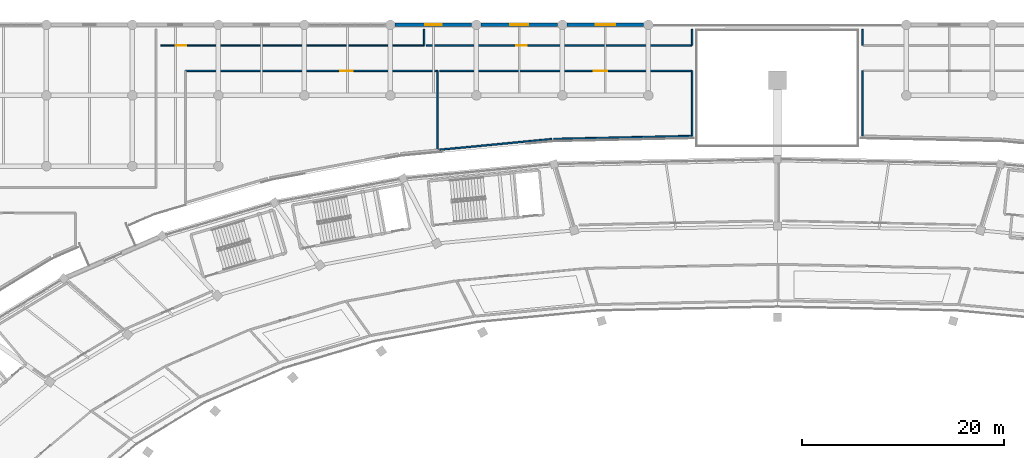
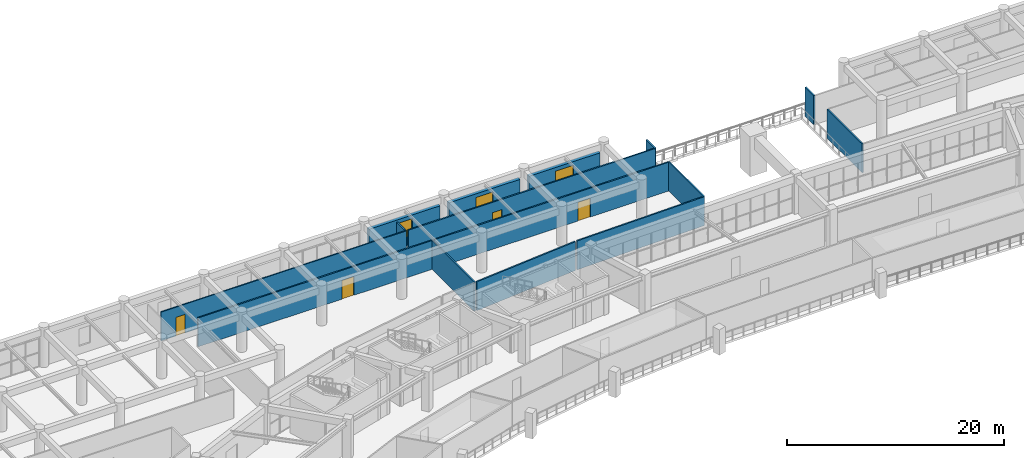
# One storey, part 106 of 141: 15 walls, 4 doors, 3 windows, 7 openings.
"""IFC4 building model written with IfcOpenShell, lengths in metres."""

from ifc_helpers import new_model, si_unit, direction, frame, frame_2d, origin, place, context, subcontext, project, spatial, rectangle, extrude, material, layer, layer_set, type_object, element, fill, save


model = new_model("IFC4")

# Units and contexts
model_context = context("Model", 3, precision=1e-05, world=origin(), true_north=direction((0.0, 1.0)))
body_context = subcontext(model_context, "Body", "Model", "MODEL_VIEW")
ifc_project = project(units=[si_unit("LENGTHUNIT", "METRE"), si_unit("AREAUNIT", "SQUARE_METRE"), si_unit("VOLUMEUNIT", "CUBIC_METRE"), si_unit("PLANEANGLEUNIT", "RADIAN"), si_unit("MASSUNIT", "GRAM", prefix="KILO")], contexts=[model_context])

# Site, building, storey
site_placement = place(None, origin())
site = spatial("IfcSite", under=ifc_project, at=site_placement, CompositionType="ELEMENT")
building_placement = place(site_placement, origin())
building = spatial("IfcBuilding", under=site, at=building_placement, Name="Mphavela Belvedere Stadium", CompositionType="ELEMENT")
storey_placement = place(building_placement, frame((0.0, 0.0, 14.699951171875)))
storey = spatial("IfcBuildingStorey", under=building, at=storey_placement, Name="L03", CompositionType="ELEMENT", Elevation=14.699951171875)

# Wall, opening, window
ifc_material_1 = material(Name="Honed ashlar limestone masonry", Category="masonry")
ifc_layer_1 = layer(ifc_material_1, 0.35009765625)
ifc_layer_set_1 = layer_set([ifc_layer_1], Name="Honed ashlar limestone masonry")
wall_type_1 = type_object("IfcWallType", Name="WAL-EXT-ASHLAR-350", PredefinedType="STANDARD", material=ifc_layer_set_1)
wall_1_placement = place(storey_placement, frame((77.139892578125, 174.0, 0.0), z_axis=(0.0, 0.0, 1.0), x_axis=(1.0, 0.0, 0.0)))
wall_1 = element("IfcWall", 1, at=wall_1_placement, inside=storey, type_object=wall_type_1, Name="North Mast and Ceremonial End Forecourt outer facade bay L03-10", PredefinedType="STANDARD", context=body_context, shape_type="SweptSolid", body=[
    extrude(rectangle(XDim=7.572021484375, YDim=0.35009765625, at=frame_2d((3.7861328125, 0.0))), origin(), (0.0, 0.0, 1.0), 3.260009765625),
])
opening_1_placement = place(wall_1_placement, frame((2.9560546875, 0.0, 0.89990234375)))
opening_1 = element("IfcOpeningElement", 2, at=opening_1_placement, cuts=wall_1, Name="Opening W-203", PredefinedType="OPENING", context=body_context, shape_type="SweptSolid", body=[
    extrude(rectangle(XDim=1.659912109375, YDim=1.949951171875, at=frame_2d((0.830078125, 0.97509765625))), frame((0.0, 0.18505859375, 0.0), z_axis=(0.0, -1.0, 0.0), x_axis=(1.0, 0.0, 0.0)), (0.0, 0.0, 1.0), 0.3701171875),
])
ifc_material_2 = material(Name="Bronze-anodised thermally broken aluminium window", Category="aluminium")
window_type_1 = type_object("IfcWindowType", Name="WIN-EXT-27", PartitioningType="SINGLE_PANEL", PredefinedType="WINDOW", material=ifc_material_2)
window_1_placement = place(opening_1_placement, origin())
window_1 = element("IfcWindow", 3, at=window_1_placement, inside=storey, type_object=window_type_1, Name="North Mast and Ceremonial End Forecourt classical window W-203", OverallHeight=1.949951171875, OverallWidth=1.659912109375, PartitioningType="SINGLE_PANEL", PredefinedType="WINDOW", context=body_context, shape_type="SweptSolid", body=[
    extrude(rectangle(XDim=1.659912109375, YDim=1.949951171875, at=frame_2d((0.830078125, 0.97509765625))), frame((0.0, 0.030029296875, 0.0), z_axis=(0.0, -1.0, 0.0), x_axis=(1.0, 0.0, 0.0)), (0.0, 0.0, 1.0), 0.06005859375),
])
fill(opening_1, window_1)

wall_2_placement = place(storey_placement, frame((85.657958984375, 174.0, 0.0), z_axis=(0.0, 0.0, 1.0), x_axis=(1.0, 0.0, 0.0)))
wall_2 = element("IfcWall", 4, at=wall_2_placement, inside=storey, type_object=wall_type_1, Name="North Mast and Ceremonial End Forecourt outer facade bay L03-11", PredefinedType="STANDARD", context=body_context, shape_type="SweptSolid", body=[
    extrude(rectangle(XDim=7.572998046875, YDim=0.35009765625, at=frame_2d((3.78662109375, 0.0))), origin(), (0.0, 0.0, 1.0), 3.260009765625),
])
opening_2_placement = place(wall_2_placement, frame((2.886474609375, 0.0, 0.89990234375)))
opening_2 = element("IfcOpeningElement", 5, at=opening_2_placement, cuts=wall_2, Name="Opening W-204", PredefinedType="OPENING", context=body_context, shape_type="SweptSolid", body=[
    extrude(rectangle(XDim=1.800048828125, YDim=1.949951171875, at=frame_2d((0.89990234375, 0.97509765625))), frame((0.0, 0.18505859375, 0.0), z_axis=(0.0, -1.0, 0.0), x_axis=(1.0, 0.0, 0.0)), (0.0, 0.0, 1.0), 0.3701171875),
])
ifc_material_3 = material(Name="Bronze-anodised thermally broken aluminium window", Category="aluminium")
window_type_2 = type_object("IfcWindowType", Name="WIN-EXT-28", PartitioningType="SINGLE_PANEL", PredefinedType="WINDOW", material=ifc_material_3)
window_2_placement = place(opening_2_placement, origin())
window_2 = element("IfcWindow", 6, at=window_2_placement, inside=storey, type_object=window_type_2, Name="North Mast and Ceremonial End Forecourt classical window W-204", OverallHeight=1.949951171875, OverallWidth=1.800048828125, PartitioningType="SINGLE_PANEL", PredefinedType="WINDOW", context=body_context, shape_type="SweptSolid", body=[
    extrude(rectangle(XDim=1.800048828125, YDim=1.949951171875, at=frame_2d((0.89990234375, 0.97509765625))), frame((0.0, 0.030029296875, 0.0), z_axis=(0.0, -1.0, 0.0), x_axis=(1.0, 0.0, 0.0)), (0.0, 0.0, 1.0), 0.06005859375),
])
fill(opening_2, window_2)

wall_3_placement = place(storey_placement, frame((94.177001953125, 174.0, 0.0), z_axis=(0.0, 0.0, 1.0), x_axis=(1.0, 0.0, 0.0)))
wall_3 = element("IfcWall", 7, at=wall_3_placement, inside=storey, type_object=wall_type_1, Name="North Mast and Ceremonial End Forecourt outer facade bay L03-12", PredefinedType="STANDARD", context=body_context, shape_type="SweptSolid", body=[
    extrude(rectangle(XDim=7.572021484375, YDim=0.35009765625, at=frame_2d((3.7861328125, 0.0))), origin(), (0.0, 0.0, 1.0), 3.260009765625),
])
opening_3_placement = place(wall_3_placement, frame((2.81591796875, 0.0, 0.89990234375)))
opening_3 = element("IfcOpeningElement", 8, at=opening_3_placement, cuts=wall_3, Name="Opening W-205", PredefinedType="OPENING", context=body_context, shape_type="SweptSolid", body=[
    extrude(rectangle(XDim=1.93994140625, YDim=1.949951171875, at=frame_2d((0.969970703125, 0.97509765625))), frame((0.0, 0.18505859375, 0.0), z_axis=(0.0, -1.0, 0.0), x_axis=(1.0, 0.0, 0.0)), (0.0, 0.0, 1.0), 0.3701171875),
])
ifc_material_4 = material(Name="Bronze-anodised thermally broken aluminium window", Category="aluminium")
window_type_3 = type_object("IfcWindowType", Name="WIN-EXT-29", PartitioningType="SINGLE_PANEL", PredefinedType="WINDOW", material=ifc_material_4)
window_3_placement = place(opening_3_placement, origin())
window_3 = element("IfcWindow", 9, at=window_3_placement, inside=storey, type_object=window_type_3, Name="North Mast and Ceremonial End Forecourt classical window W-205", OverallHeight=1.949951171875, OverallWidth=1.93994140625, PartitioningType="SINGLE_PANEL", PredefinedType="WINDOW", context=body_context, shape_type="SweptSolid", body=[
    extrude(rectangle(XDim=1.93994140625, YDim=1.949951171875, at=frame_2d((0.969970703125, 0.97509765625))), frame((0.0, 0.030029296875, 0.0), z_axis=(0.0, -1.0, 0.0), x_axis=(1.0, 0.0, 0.0)), (0.0, 0.0, 1.0), 0.06005859375),
])
fill(opening_3, window_3)

# Wall, opening, door
ifc_material_5 = material(Name="Moisture-resistant sanitary partition assembly")
ifc_layer_2 = layer(ifc_material_5, 0.125)
ifc_layer_set_2 = layer_set([ifc_layer_2], Name="Moisture-resistant sanitary partition assembly")
wall_type_2 = type_object("IfcWallType", Name="WAL-PART-125", PredefinedType="PARTITIONING", material=ifc_layer_set_2)
wall_4_placement = place(storey_placement, frame((80.0, 171.9599609375, 0.0), z_axis=(0.0, 0.0, 1.0), x_axis=(-1.0, 0.0, 0.0)))
wall_4 = element("IfcWall", 10, at=wall_4_placement, inside=storey, type_object=wall_type_2, Name="Room L03-180 corridor partition", PredefinedType="PARTITIONING", context=body_context, shape_type="SweptSolid", body=[
    extrude(rectangle(XDim=26.10009765625, YDim=0.125, at=frame_2d((13.050048828125, 0.0))), origin(), (0.0, 0.0, 1.0), 3.25),
])
opening_4_placement = place(wall_4_placement, frame((23.575927734375, 0.0, 0.0)))
opening_4 = element("IfcOpeningElement", 11, at=opening_4_placement, cuts=wall_4, Name="Opening ID-471", PredefinedType="OPENING", context=body_context, shape_type="SweptSolid", body=[
    extrude(rectangle(XDim=0.97998046875, YDim=2.10009765625, at=frame_2d((0.489990234375, 1.050048828125))), frame((0.0, 0.072509765625, 0.0), z_axis=(0.0, -1.0, 0.0), x_axis=(1.0, 0.0, 0.0)), (0.0, 0.0, 1.0), 0.14501953125),
])
ifc_material_6 = material(Name="Hardwood acoustic timber doorset", Category="wood")
door_type_1 = type_object("IfcDoorType", Name="DR-INT-03", OperationType="NOTDEFINED", PredefinedType="DOOR", material=ifc_material_6)
door_1_placement = place(opening_4_placement, origin())
door_1 = element("IfcDoor", 12, at=door_1_placement, inside=storey, type_object=door_type_1, Name="Room L03-180 entrance door ID-471", OperationType="SINGLE_SWING_LEFT", OverallHeight=2.10009765625, OverallWidth=0.97998046875, PredefinedType="DOOR", context=body_context, shape_type="SweptSolid", body=[
    extrude(rectangle(XDim=0.97998046875, YDim=2.10009765625, at=frame_2d((0.489990234375, 1.050048828125))), frame((0.0, 0.02490234375, 0.0), z_axis=(0.0, -1.0, 0.0), x_axis=(1.0, 0.0, 0.0)), (0.0, 0.0, 1.0), 0.050048828125),
])
fill(opening_4, door_1)

ifc_material_7 = material(Name="Acoustic gypsum stud partition assembly")
ifc_layer_3 = layer(ifc_material_7, 0.14990234375)
ifc_layer_set_3 = layer_set([ifc_layer_3], Name="Acoustic gypsum stud partition assembly")
wall_type_3 = type_object("IfcWallType", Name="WAL-PART-150", PredefinedType="PARTITIONING", material=ifc_layer_set_3)
wall_5_placement = place(storey_placement, frame((106.5, 171.9599609375, 0.0), z_axis=(0.0, 0.0, 1.0), x_axis=(-1.0, 0.0, 0.0)))
wall_5 = element("IfcWall", 13, at=wall_5_placement, inside=storey, type_object=wall_type_3, Name="Room L03-181 corridor partition", PredefinedType="PARTITIONING", context=body_context, shape_type="SweptSolid", body=[
    extrude(rectangle(XDim=26.300048828125, YDim=0.14990234375, at=frame_2d((13.14990234375, 0.0))), origin(), (0.0, 0.0, 1.0), 3.25),
])
opening_5_placement = place(wall_5_placement, frame((16.3359375, 0.0, 0.0)))
opening_5 = element("IfcOpeningElement", 14, at=opening_5_placement, cuts=wall_5, Name="Opening ID-472", PredefinedType="OPENING", context=body_context, shape_type="SweptSolid", body=[
    extrude(rectangle(XDim=1.02001953125, YDim=2.10009765625, at=frame_2d((0.510009765625, 1.050048828125))), frame((0.0, 0.0849609375, 0.0), z_axis=(0.0, -1.0, 0.0), x_axis=(1.0, 0.0, 0.0)), (0.0, 0.0, 1.0), 0.169921875),
])
ifc_material_8 = material(Name="Hardwood acoustic timber doorset", Category="wood")
door_type_2 = type_object("IfcDoorType", Name="DR-INT-04", OperationType="NOTDEFINED", PredefinedType="DOOR", material=ifc_material_8)
door_2_placement = place(opening_5_placement, origin())
door_2 = element("IfcDoor", 15, at=door_2_placement, inside=storey, type_object=door_type_2, Name="Room L03-181 entrance door ID-472", OperationType="SINGLE_SWING_RIGHT", OverallHeight=2.10009765625, OverallWidth=1.02001953125, PredefinedType="DOOR", context=body_context, shape_type="SweptSolid", body=[
    extrude(rectangle(XDim=1.02001953125, YDim=2.10009765625, at=frame_2d((0.510009765625, 1.050048828125))), frame((0.0, 0.02490234375, 0.0), z_axis=(0.0, -1.0, 0.0), x_axis=(1.0, 0.0, 0.0)), (0.0, 0.0, 1.0), 0.050048828125),
])
fill(opening_5, door_2)

wall_6_placement = place(storey_placement, frame((56.360107421875, 169.43994140625, 0.0), z_axis=(0.0, 0.0, 1.0), x_axis=(1.0, 0.0, 0.0)))
wall_6 = element("IfcWall", 16, at=wall_6_placement, inside=storey, type_object=wall_type_3, Name="Room L03-187 corridor partition", PredefinedType="PARTITIONING", context=body_context, shape_type="SweptSolid", body=[
    extrude(rectangle(XDim=24.994873046875, YDim=0.14990234375, at=frame_2d((12.49755859375, 0.0))), origin(), (0.0, 0.0, 1.0), 3.25),
])
opening_6_placement = place(wall_6_placement, frame((15.331787109375, 0.0, 0.0)))
opening_6 = element("IfcOpeningElement", 17, at=opening_6_placement, cuts=wall_6, Name="Opening ID-478", PredefinedType="OPENING", context=body_context, shape_type="SweptSolid", body=[
    extrude(rectangle(XDim=1.260009765625, YDim=2.10009765625, at=frame_2d((0.6298828125, 1.050048828125))), frame((0.0, 0.0849609375, 0.0), z_axis=(0.0, -1.0, 0.0), x_axis=(1.0, 0.0, 0.0)), (0.0, 0.0, 1.0), 0.169921875),
])
ifc_material_9 = material(Name="Hardwood acoustic timber doorset", Category="wood")
door_type_3 = type_object("IfcDoorType", Name="DR-INT-10", OperationType="NOTDEFINED", PredefinedType="DOOR", material=ifc_material_9)
door_3_placement = place(opening_6_placement, origin())
door_3 = element("IfcDoor", 18, at=door_3_placement, inside=storey, type_object=door_type_3, Name="Room L03-187 entrance door ID-478", OperationType="SINGLE_SWING_RIGHT", OverallHeight=2.10009765625, OverallWidth=1.260009765625, PredefinedType="DOOR", context=body_context, shape_type="SweptSolid", body=[
    extrude(rectangle(XDim=1.260009765625, YDim=2.10009765625, at=frame_2d((0.6298828125, 1.050048828125))), frame((0.0, 0.02490234375, 0.0), z_axis=(0.0, -1.0, 0.0), x_axis=(1.0, 0.0, 0.0)), (0.0, 0.0, 1.0), 0.050048828125),
])
fill(opening_6, door_3)

wall_7_placement = place(storey_placement, frame((81.554931640625, 169.43994140625, 0.0), z_axis=(0.0, 0.0, 1.0), x_axis=(1.0, 0.0, 0.0)))
wall_7 = element("IfcWall", 19, at=wall_7_placement, inside=storey, type_object=wall_type_3, Name="Room L03-188 corridor partition", PredefinedType="PARTITIONING", context=body_context, shape_type="SweptSolid", body=[
    extrude(rectangle(XDim=24.945068359375, YDim=0.14990234375, at=frame_2d((12.47265625, 0.0))), origin(), (0.0, 0.0, 1.0), 3.25),
])
opening_7_placement = place(wall_7_placement, frame((15.26025390625, 0.0, 0.0)))
opening_7 = element("IfcOpeningElement", 20, at=opening_7_placement, cuts=wall_7, Name="Opening ID-479", PredefinedType="OPENING", context=body_context, shape_type="SweptSolid", body=[
    extrude(rectangle(XDim=1.320068359375, YDim=2.10009765625, at=frame_2d((0.66015625, 1.050048828125))), frame((0.0, 0.0849609375, 0.0), z_axis=(0.0, -1.0, 0.0), x_axis=(1.0, 0.0, 0.0)), (0.0, 0.0, 1.0), 0.169921875),
])
ifc_material_10 = material(Name="Hardwood acoustic timber doorset", Category="wood")
door_type_4 = type_object("IfcDoorType", Name="DR-INT-11", OperationType="NOTDEFINED", PredefinedType="DOOR", material=ifc_material_10)
door_4_placement = place(opening_7_placement, origin())
door_4 = element("IfcDoor", 21, at=door_4_placement, inside=storey, type_object=door_type_4, Name="Room L03-188 entrance door ID-479", OperationType="SINGLE_SWING_LEFT", OverallHeight=2.10009765625, OverallWidth=1.320068359375, PredefinedType="DOOR", context=body_context, shape_type="SweptSolid", body=[
    extrude(rectangle(XDim=1.320068359375, YDim=2.10009765625, at=frame_2d((0.66015625, 1.050048828125))), frame((0.0, 0.02490234375, 0.0), z_axis=(0.0, -1.0, 0.0), x_axis=(1.0, 0.0, 0.0)), (0.0, 0.0, 1.0), 0.050048828125),
])
fill(opening_7, door_4)

# Walls
wall_8_placement = place(storey_placement, frame((80.0, 173.550048828125, 0.0), z_axis=(0.0, 0.0, 1.0), x_axis=(0.0, -1.0, 0.0)))
element("IfcWall", 22, at=wall_8_placement, inside=storey, type_object=wall_type_3, Name="Room divider partition L03-1051", PredefinedType="PARTITIONING", context=body_context, shape_type="SweptSolid", body=[
    extrude(rectangle(XDim=1.590087890625, YDim=0.14990234375, at=frame_2d((0.794921875, 0.0))), origin(), (0.0, 0.0, 1.0), 3.25),
])
wall_9_placement = place(storey_placement, frame((106.550048828125, 173.550048828125, 0.0), z_axis=(0.0, 0.0, 1.0), x_axis=(-0.002293221305, -0.999997370565, 0.0)))
element("IfcWall", 23, at=wall_9_placement, inside=storey, type_object=wall_type_3, Name="Room divider partition L03-1052", PredefinedType="PARTITIONING", context=body_context, shape_type="SweptSolid", body=[
    extrude(rectangle(XDim=1.596923828125, YDim=0.14990234375, at=frame_2d((0.79833984375, 0.0))), origin(), (0.0, 0.0, 1.0), 3.25),
])
wall_10_placement = place(storey_placement, frame((123.449951171875, 171.951904296875, 0.0), z_axis=(0.0, 0.0, 1.0), x_axis=(0.0, 1.0, 0.0)))
element("IfcWall", 24, at=wall_10_placement, inside=storey, type_object=wall_type_3, Name="Room divider partition L03-1053", PredefinedType="PARTITIONING", context=body_context, shape_type="SweptSolid", body=[
    extrude(rectangle(XDim=1.59814453125, YDim=0.14990234375, at=frame_2d((0.799072265625, 0.0))), origin(), (0.0, 0.0, 1.0), 3.25),
])
wall_11_placement = place(storey_placement, frame((81.35498046875, 169.43994140625, 0.0), z_axis=(0.0, 0.0, 1.0), x_axis=(0.0, -1.0, 0.0)))
element("IfcWall", 25, at=wall_11_placement, inside=storey, type_object=wall_type_3, Name="Room divider partition L03-1071", PredefinedType="PARTITIONING", context=body_context, shape_type="SweptSolid", body=[
    extrude(rectangle(XDim=7.834228515625, YDim=0.14990234375, at=frame_2d((3.9169921875, 0.0))), origin(), (0.0, 0.0, 1.0), 3.25),
])
wall_12_placement = place(storey_placement, frame((92.648193359375, 162.6826171875, 0.0), z_axis=(0.0, 0.0, 1.0), x_axis=(-0.995483944756, -0.094930057059, 0.0)))
element("IfcWall", 26, at=wall_12_placement, inside=storey, type_object=wall_type_3, Name="Room divider partition L03-1073", PredefinedType="PARTITIONING", context=body_context, shape_type="SweptSolid", body=[
    extrude(rectangle(XDim=11.1435546875, YDim=0.14990234375, at=frame_2d((5.57177734375, 0.0))), origin(), (0.0, 0.0, 1.0), 3.25),
])
wall_13_placement = place(storey_placement, frame((106.550048828125, 169.4482421875, 0.0), z_axis=(0.0, 0.0, 1.0), x_axis=(0.0, -1.0, 0.0)))
element("IfcWall", 27, at=wall_13_placement, inside=storey, type_object=wall_type_3, Name="Room divider partition L03-1074", PredefinedType="PARTITIONING", context=body_context, shape_type="SweptSolid", body=[
    extrude(rectangle(XDim=6.459716796875, YDim=0.14990234375, at=frame_2d((3.22998046875, 0.0))), origin(), (0.0, 0.0, 1.0), 3.25),
])
wall_14_placement = place(storey_placement, frame((106.550048828125, 162.988525390625, 0.0), z_axis=(0.0, 0.0, 1.0), x_axis=(-0.999768230535, -0.021528706714, 0.0)))
element("IfcWall", 28, at=wall_14_placement, inside=storey, type_object=wall_type_3, Name="Room divider partition L03-1075", PredefinedType="PARTITIONING", context=body_context, shape_type="SweptSolid", body=[
    extrude(rectangle(XDim=13.7216796875, YDim=0.14990234375, at=frame_2d((6.86083984375, 0.0))), origin(), (0.0, 0.0, 1.0), 3.25),
])
wall_15_placement = place(storey_placement, frame((123.449951171875, 162.988525390625, 0.0), z_axis=(0.0, 0.0, 1.0), x_axis=(0.0, 1.0, 0.0)))
element("IfcWall", 29, at=wall_15_placement, inside=storey, type_object=wall_type_3, Name="Room divider partition L03-1077", PredefinedType="PARTITIONING", context=body_context, shape_type="SweptSolid", body=[
    extrude(rectangle(XDim=6.459716796875, YDim=0.14990234375, at=frame_2d((3.22998046875, 0.0))), origin(), (0.0, 0.0, 1.0), 3.25),
])

save(model, "model.ifc")
